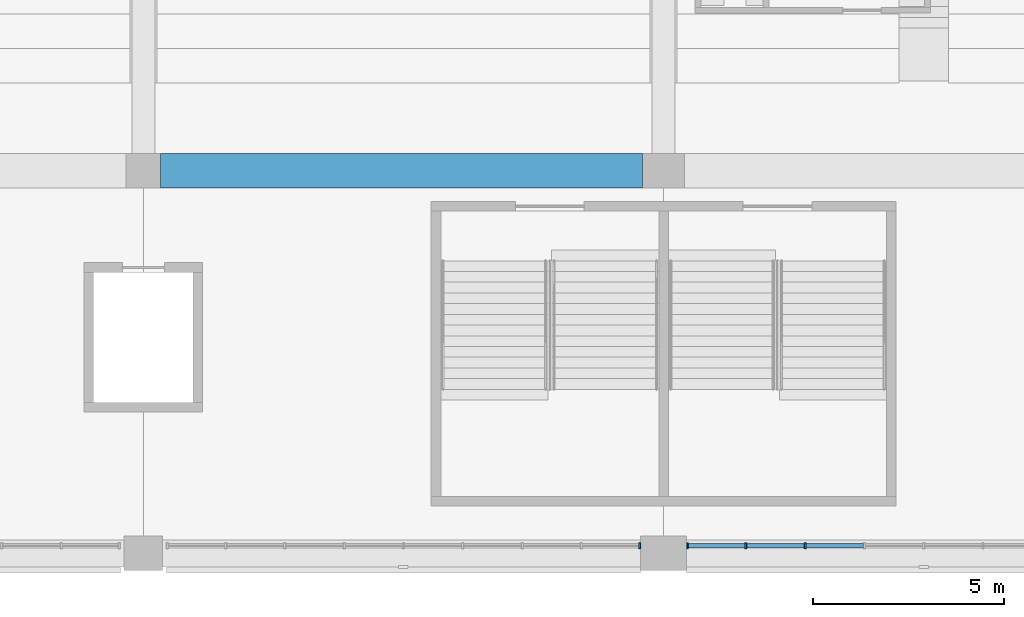
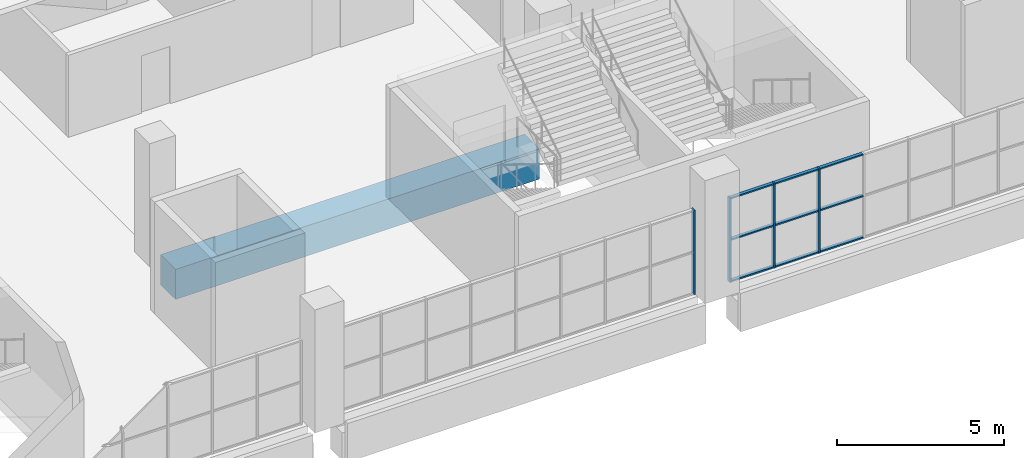
# One storey, part 13 of 249: 13 members, 1 beam, 2 elements without a shape of their own.
"""IFC4 building model written with IfcOpenShell, lengths in metres."""

from ifc_helpers import new_model, si_unit, direction, frame, origin, origin_2d, place, context, subcontext, project, spatial, rectangle, extrude, material, material_profile, profile_set, type_object, element, aggregate, save


model = new_model("IFC4")

# Units and contexts
model_context = context("Model", 3, precision=1e-05, world=origin(), true_north=direction((0.0, 1.0)))
body_context = subcontext(model_context, "Body", "Model", "MODEL_VIEW")
ifc_project = project(units=[si_unit("LENGTHUNIT", "METRE"), si_unit("AREAUNIT", "SQUARE_METRE"), si_unit("VOLUMEUNIT", "CUBIC_METRE"), si_unit("PLANEANGLEUNIT", "RADIAN"), si_unit("MASSUNIT", "GRAM", prefix="KILO")], contexts=[model_context])

# Site, building, storey
site_placement = place(None, origin())
site = spatial("IfcSite", under=ifc_project, at=site_placement, CompositionType="ELEMENT")
building_placement = place(site_placement, origin())
building = spatial("IfcBuilding", under=site, at=building_placement, Name="Ogive Plaza Stadium", CompositionType="ELEMENT")
storey_placement = place(building_placement, frame((0.0, 0.0, 13.5)))
storey = spatial("IfcBuildingStorey", under=building, at=storey_placement, Name="L03", CompositionType="ELEMENT", Elevation=13.5)

# Curtain wall, members
ifc_material_1 = material(Name="Bronze-anodised aluminium with laminated glass", Category="aluminium")
curtain_wall_type = type_object("IfcCurtainWallType", Name="Lancet curtain wall", PredefinedType="NOTDEFINED", material=ifc_material_1)
curtain_wall_1_placement = place(storey_placement, origin())
curtain_wall_1 = element("IfcCurtainWall", 1, at=curtain_wall_1_placement, inside=storey, type_object=curtain_wall_type, Name="CURTAIN WALL B13 L03", PredefinedType="NOTDEFINED")
ifc_material_2 = material(Name="Bronze-anodised aluminium", Category="aluminium")
ifc_material_profile_1 = material_profile(ifc_material_2, rectangle(XDim=0.14990234375, YDim=0.050048828125, at=origin_2d()), Name="AL 150x50")
ifc_profile_set_1 = profile_set([ifc_material_profile_1], Name="Bronze-anodised aluminium")
member_type_1 = type_object("IfcMemberType", Name="Curtain wall mullion 50x150", PredefinedType="MULLION", material=ifc_profile_set_1)
member_1_placement = place(storey_placement, frame((10.5, -102.300048828125, 0.0), z_axis=(0.0, 0.0, 1.0), x_axis=(0.0, -1.0, 0.0)))
member_1 = element("IfcMember", 2, at=member_1_placement, type_object=member_type_1, Name="CW-B13-L03 mullion 7", PredefinedType="MULLION", context=body_context, shape_type="SweptSolid", body=[
    extrude(rectangle(XDim=0.14990234375, YDim=0.050048828125, at=origin_2d()), origin(), (0.0, 0.0, 1.0), 3.090087890625),
])
member_2_placement = place(storey_placement, frame((8.949951171875, -102.300048828125, 0.0), z_axis=(0.0, 0.0, 1.0), x_axis=(0.0, -1.0, 0.0)))
member_2 = element("IfcMember", 3, at=member_2_placement, type_object=member_type_1, Name="CW-B13-L03 mullion 8", PredefinedType="MULLION", context=body_context, shape_type="SweptSolid", body=[
    extrude(rectangle(XDim=0.14990234375, YDim=0.050048828125, at=origin_2d()), origin(), (0.0, 0.0, 1.0), 3.090087890625),
])
member_3_placement = place(storey_placement, frame((7.425048828125, -102.300048828125, 0.0), z_axis=(0.0, 0.0, 1.0), x_axis=(0.0, -1.0, 0.0)))
member_3 = element("IfcMember", 4, at=member_3_placement, type_object=member_type_1, Name="CW-B13-L03 mullion 9", PredefinedType="MULLION", context=body_context, shape_type="SweptSolid", body=[
    extrude(rectangle(XDim=0.14990234375, YDim=0.050048828125, at=origin_2d()), origin(), (0.0, 0.0, 1.0), 3.090087890625),
])

# Curtain wall, member
curtain_wall_2_placement = place(storey_placement, origin())
curtain_wall_2 = element("IfcCurtainWall", 5, at=curtain_wall_2_placement, inside=storey, type_object=curtain_wall_type, Name="CURTAIN WALL B14 L03", PredefinedType="NOTDEFINED")
member_4_placement = place(storey_placement, frame((6.175048828125, -102.300048828125, 0.0), z_axis=(0.0, 0.0, 1.0), x_axis=(0.0, -1.0, 0.0)))
member_4 = element("IfcMember", 6, at=member_4_placement, type_object=member_type_1, Name="CW-B14-L03 mullion 1", PredefinedType="MULLION", context=body_context, shape_type="SweptSolid", body=[
    extrude(rectangle(XDim=0.14990234375, YDim=0.050048828125, at=origin_2d()), origin(), (0.0, 0.0, 1.0), 3.090087890625),
])
aggregate(curtain_wall_2, [member_4])

# Member
ifc_material_3 = material(Name="Bronze-anodised aluminium", Category="aluminium")
ifc_material_profile_2 = material_profile(ifc_material_3, rectangle(XDim=0.1201171875, YDim=0.050048828125, at=origin_2d()), Name="AL 120x50")
ifc_profile_set_2 = profile_set([ifc_material_profile_2], Name="Bronze-anodised aluminium")
member_type_2 = type_object("IfcMemberType", Name="Curtain wall transom 50x120", PredefinedType="USERDEFINED", material=ifc_profile_set_2)
member_5_placement = place(storey_placement, frame((12.02490234375, -102.300048828125, 0.02490234375), z_axis=(-1.0, 0.0, 0.0), x_axis=(0.0, -1.0, 0.0)))
member_5 = element("IfcMember", 7, at=member_5_placement, type_object=member_type_2, Name="CW-B13-L03 transom 6.1", ObjectType="TRANSOM", PredefinedType="USERDEFINED", context=body_context, shape_type="SweptSolid", body=[
    extrude(rectangle(XDim=0.1201171875, YDim=0.050048828125, at=origin_2d()), origin(), (0.0, 0.0, 1.0), 1.5),
])

member_6_placement = place(storey_placement, frame((12.02490234375, -102.300048828125, 1.544921875), z_axis=(-1.0, 0.0, 0.0), x_axis=(0.0, -1.0, 0.0)))
member_6 = element("IfcMember", 8, at=member_6_placement, type_object=member_type_2, Name="CW-B13-L03 transom 6.2", ObjectType="TRANSOM", PredefinedType="USERDEFINED", context=body_context, shape_type="SweptSolid", body=[
    extrude(rectangle(XDim=0.1201171875, YDim=0.050048828125, at=origin_2d()), origin(), (0.0, 0.0, 1.0), 1.5),
])

member_7_placement = place(storey_placement, frame((12.02490234375, -102.300048828125, 3.06494140625), z_axis=(-1.0, 0.0, 0.0), x_axis=(0.0, -1.0, 0.0)))
member_7 = element("IfcMember", 9, at=member_7_placement, type_object=member_type_2, Name="CW-B13-L03 transom 6.3", ObjectType="TRANSOM", PredefinedType="USERDEFINED", context=body_context, shape_type="SweptSolid", body=[
    extrude(rectangle(XDim=0.1201171875, YDim=0.050048828125, at=origin_2d()), origin(), (0.0, 0.0, 1.0), 1.5),
])

member_8_placement = place(storey_placement, frame((10.47509765625, -102.300048828125, 0.02490234375), z_axis=(-1.0, 0.0, 0.0), x_axis=(0.0, -1.0, 0.0)))
member_8 = element("IfcMember", 10, at=member_8_placement, type_object=member_type_2, Name="CW-B13-L03 transom 7.1", ObjectType="TRANSOM", PredefinedType="USERDEFINED", context=body_context, shape_type="SweptSolid", body=[
    extrude(rectangle(XDim=0.1201171875, YDim=0.050048828125, at=origin_2d()), origin(), (0.0, 0.0, 1.0), 1.5),
])

member_9_placement = place(storey_placement, frame((10.47509765625, -102.300048828125, 1.544921875), z_axis=(-1.0, 0.0, 0.0), x_axis=(0.0, -1.0, 0.0)))
member_9 = element("IfcMember", 11, at=member_9_placement, type_object=member_type_2, Name="CW-B13-L03 transom 7.2", ObjectType="TRANSOM", PredefinedType="USERDEFINED", context=body_context, shape_type="SweptSolid", body=[
    extrude(rectangle(XDim=0.1201171875, YDim=0.050048828125, at=origin_2d()), origin(), (0.0, 0.0, 1.0), 1.5),
])

member_10_placement = place(storey_placement, frame((10.47509765625, -102.300048828125, 3.06494140625), z_axis=(-1.0, 0.0, 0.0), x_axis=(0.0, -1.0, 0.0)))
member_10 = element("IfcMember", 12, at=member_10_placement, type_object=member_type_2, Name="CW-B13-L03 transom 7.3", ObjectType="TRANSOM", PredefinedType="USERDEFINED", context=body_context, shape_type="SweptSolid", body=[
    extrude(rectangle(XDim=0.1201171875, YDim=0.050048828125, at=origin_2d()), origin(), (0.0, 0.0, 1.0), 1.5),
])

member_11_placement = place(storey_placement, frame((8.925048828125, -102.300048828125, 0.02490234375), z_axis=(-1.0, 0.0, 0.0), x_axis=(0.0, -1.0, 0.0)))
member_11 = element("IfcMember", 13, at=member_11_placement, type_object=member_type_2, Name="CW-B13-L03 transom 8.1", ObjectType="TRANSOM", PredefinedType="USERDEFINED", context=body_context, shape_type="SweptSolid", body=[
    extrude(rectangle(XDim=0.1201171875, YDim=0.050048828125, at=origin_2d()), origin(), (0.0, 0.0, 1.0), 1.47509765625),
])

member_12_placement = place(storey_placement, frame((8.925048828125, -102.300048828125, 1.544921875), z_axis=(-1.0, 0.0, 0.0), x_axis=(0.0, -1.0, 0.0)))
member_12 = element("IfcMember", 14, at=member_12_placement, type_object=member_type_2, Name="CW-B13-L03 transom 8.2", ObjectType="TRANSOM", PredefinedType="USERDEFINED", context=body_context, shape_type="SweptSolid", body=[
    extrude(rectangle(XDim=0.1201171875, YDim=0.050048828125, at=origin_2d()), origin(), (0.0, 0.0, 1.0), 1.47509765625),
])

member_13_placement = place(storey_placement, frame((8.925048828125, -102.300048828125, 3.06494140625), z_axis=(-1.0, 0.0, 0.0), x_axis=(0.0, -1.0, 0.0)))
member_13 = element("IfcMember", 15, at=member_13_placement, type_object=member_type_2, Name="CW-B13-L03 transom 8.3", ObjectType="TRANSOM", PredefinedType="USERDEFINED", context=body_context, shape_type="SweptSolid", body=[
    extrude(rectangle(XDim=0.1201171875, YDim=0.050048828125, at=origin_2d()), origin(), (0.0, 0.0, 1.0), 1.47509765625),
])

aggregate(curtain_wall_1, [member_1, member_2, member_3, member_5, member_6, member_7, member_8, member_9, member_10, member_11, member_12, member_13])

# Beam
ifc_material_4 = material(Name="Concrete C40/50", Category="concrete")
ifc_material_profile_3 = material_profile(ifc_material_4, rectangle(XDim=0.89990234375, YDim=1.10009765625, at=origin_2d()), Name="RC 900x1100")
ifc_profile_set_3 = profile_set([ifc_material_profile_3], Name="Concrete C40/50")
beam_type = type_object("IfcBeamType", Name="RC ring beam 900x1100", PredefinedType="BEAM", material=ifc_profile_set_3)
beam_placement = place(storey_placement, frame((6.25, -92.5, -0.9599609375), z_axis=(-1.0, 0.0, 0.0), x_axis=(0.0, -1.0, 0.0)))
element("IfcBeam", 16, at=beam_placement, inside=storey, type_object=beam_type, Name="Ring beam F4 L03 B14", PredefinedType="BEAM", context=body_context, shape_type="SweptSolid", body=[
    extrude(rectangle(XDim=0.89990234375, YDim=1.10009765625, at=origin_2d()), origin(), (0.0, 0.0, 1.0), 12.60009765625),
])

save(model, "model.ifc")
